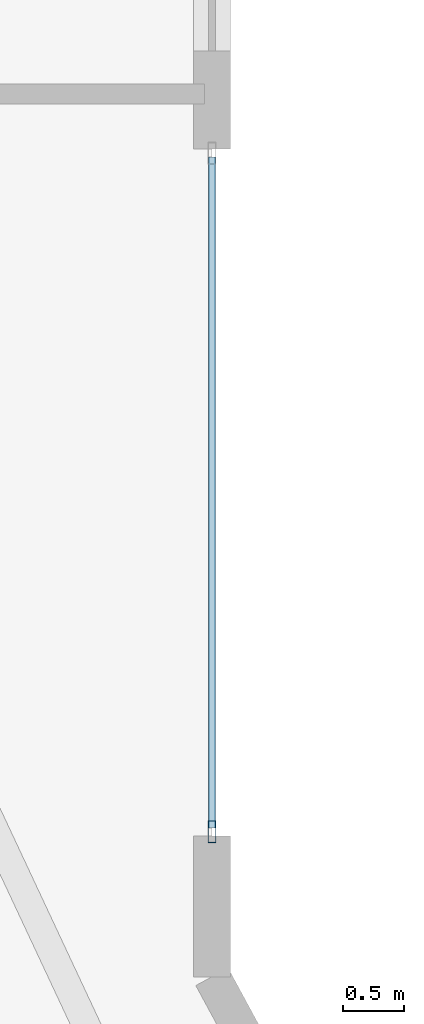
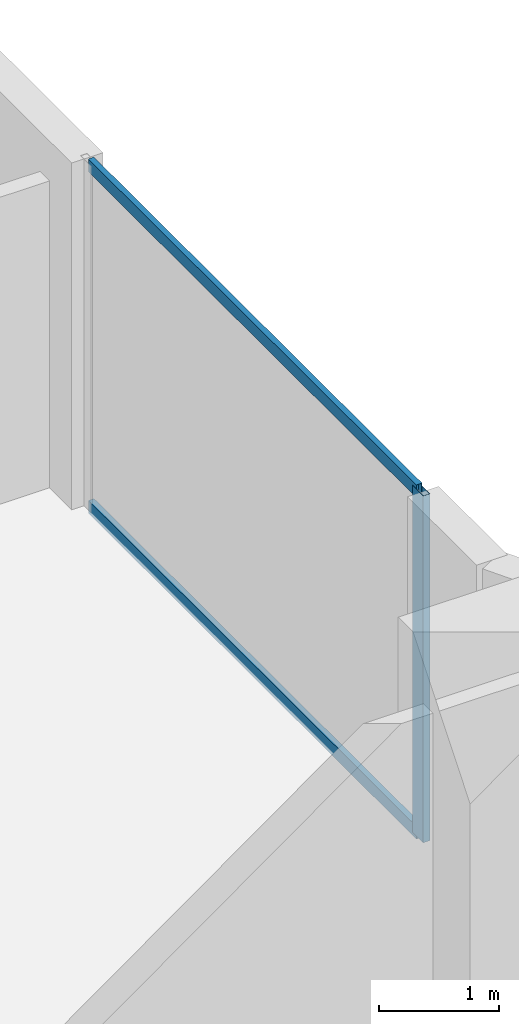
# One storey, part 14 of 33: 3 members, 1 element without a shape of its own.
"""IFC4 building model written with IfcOpenShell, lengths in metres."""

from ifc_helpers import new_model, si_unit, direction, frame, origin, origin_2d, place, context, subcontext, project, spatial, hollow_rectangle, extrude, material, layer, layer_set, material_profile, profile_set, type_object, element, aggregate, save


model = new_model("IFC4")

# Units and contexts
model_context = context("Model", 3, precision=1e-05, world=origin(), true_north=direction((0.0, 1.0)))
body_context = subcontext(model_context, "Body", "Model", "MODEL_VIEW")
ifc_project = project(units=[si_unit("LENGTHUNIT", "METRE"), si_unit("AREAUNIT", "SQUARE_METRE"), si_unit("VOLUMEUNIT", "CUBIC_METRE"), si_unit("PLANEANGLEUNIT", "RADIAN"), si_unit("MASSUNIT", "GRAM", prefix="KILO")], contexts=[model_context])

# Site, building, storey
site_placement = place(None, origin())
site = spatial("IfcSite", under=ifc_project, at=site_placement, CompositionType="ELEMENT")
building_placement = place(site_placement, origin())
building = spatial("IfcBuilding", under=site, at=building_placement, Name="Zuhayl Quay Hotel", CompositionType="ELEMENT")
storey_placement = place(building_placement, frame((0.0, 0.0, 222.39990234375)))
storey = spatial("IfcBuildingStorey", under=building, at=storey_placement, Name="L56", CompositionType="ELEMENT", Elevation=222.39990234375)

# Curtain wall, members
ifc_material_1 = material(Name="Anodised Aluminium 6063-T6", Category="aluminium")
ifc_layer = layer(ifc_material_1, 0.175048828125, Name="Anodised Aluminium 6063-T6", Category="aluminium")
ifc_layer_set = layer_set([ifc_layer], Name="Anodised Aluminium 6063-T6")
curtain_wall_type = type_object("IfcCurtainWallType", Name="CW_SYS_Z3", PredefinedType="USERDEFINED", material=ifc_layer_set)
curtain_wall_placement = place(storey_placement, origin())
curtain_wall = element("IfcCurtainWall", 1, at=curtain_wall_placement, inside=storey, type_object=curtain_wall_type, Name="L56 Curtain Wall ENV_L56_E11_CW1", ObjectType="UNITISED CURTAIN WALL", PredefinedType="USERDEFINED")
ifc_material_2 = material(Name="Black-anodised aluminium 6063-T6", Category="aluminium")
ifc_material_profile_1 = material_profile(ifc_material_2, hollow_rectangle(XDim=0.06494140625, YDim=0.179931640625, WallThickness=0.00341796875, at=origin_2d()), Name="ALU180X65")
ifc_profile_set_1 = profile_set([ifc_material_profile_1], Name="Black-anodised aluminium 6063-T6")
member_type_1 = type_object("IfcMemberType", Name="MB_CW_MUL_180", PredefinedType="MULLION", material=ifc_profile_set_1)
member_1_placement = place(storey_placement, frame((22.10009765625, 18.982421875, 0.0), z_axis=(0.0, 0.0, 1.0), x_axis=(1.0, 0.0, 0.0)))
member_1 = element("IfcMember", 2, at=member_1_placement, type_object=member_type_1, Name="CW-Z3 mullion 2", PredefinedType="MULLION", context=body_context, shape_type="SweptSolid", body=[
    extrude(hollow_rectangle(XDim=0.06494140625, YDim=0.179931640625, WallThickness=0.00341796875, at=origin_2d()), origin(), (0.0, 0.0, 1.0), 3.530029296875),
])
ifc_material_profile_2 = material_profile(ifc_material_2, hollow_rectangle(XDim=0.054931640625, YDim=0.1298828125, WallThickness=0.0029296875, at=origin_2d()), Name="ALU130X55")
ifc_profile_set_2 = profile_set([ifc_material_profile_2], Name="Black-anodised aluminium 6063-T6")
member_type_2 = type_object("IfcMemberType", Name="MB_CW_TRN_130", PredefinedType="USERDEFINED", material=ifc_profile_set_2)
member_2_placement = place(storey_placement, frame((22.10009765625, 24.485107421875, 0.027587890625), z_axis=(0.0, -1.0, 0.0), x_axis=(1.0, 0.0, 0.0)))
member_2 = element("IfcMember", 3, at=member_2_placement, type_object=member_type_2, Name="CW-Z3 transom 1.1", ObjectType="TRANSOM", PredefinedType="USERDEFINED", context=body_context, shape_type="SweptSolid", body=[
    extrude(hollow_rectangle(XDim=0.054931640625, YDim=0.1298828125, WallThickness=0.0029296875, at=origin_2d()), origin(), (0.0, 0.0, 1.0), 5.47021484375),
])
member_3_placement = place(storey_placement, frame((22.10009765625, 24.485107421875, 3.502685546875), z_axis=(0.0, -1.0, 0.0), x_axis=(1.0, 0.0, 0.0)))
member_3 = element("IfcMember", 4, at=member_3_placement, type_object=member_type_2, Name="CW-Z3 transom 1.2", ObjectType="TRANSOM", PredefinedType="USERDEFINED", context=body_context, shape_type="SweptSolid", body=[
    extrude(hollow_rectangle(XDim=0.054931640625, YDim=0.1298828125, WallThickness=0.0029296875, at=origin_2d()), origin(), (0.0, 0.0, 1.0), 5.47021484375),
])
aggregate(curtain_wall, [member_1, member_2, member_3])

save(model, "model.ifc")
